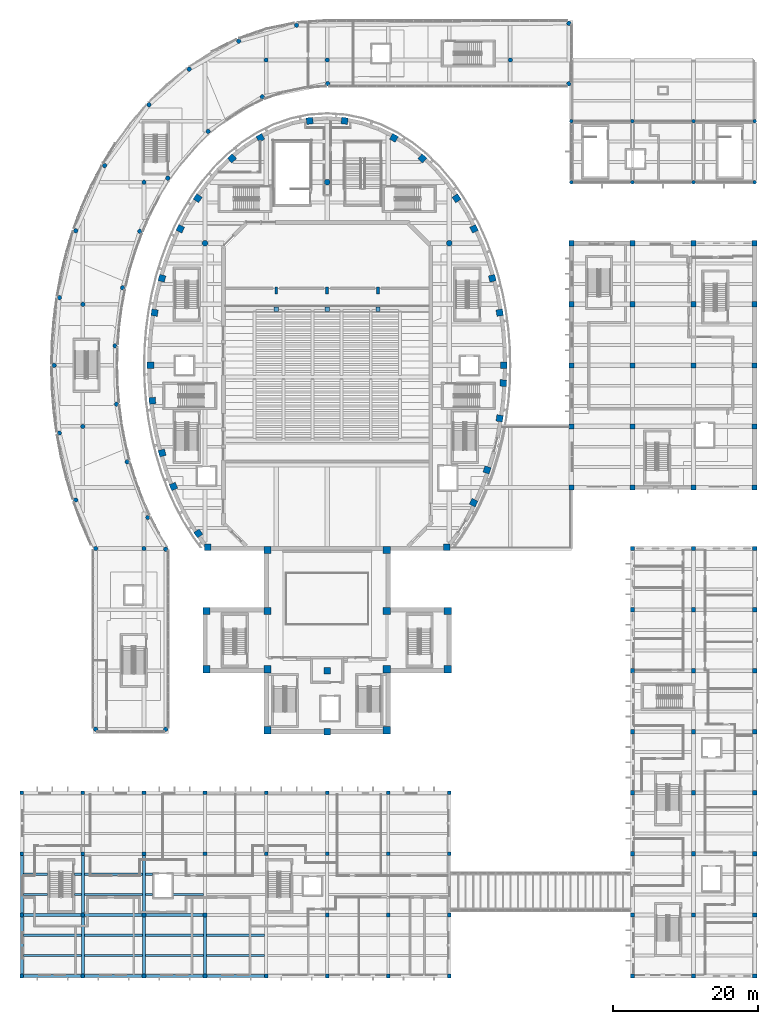
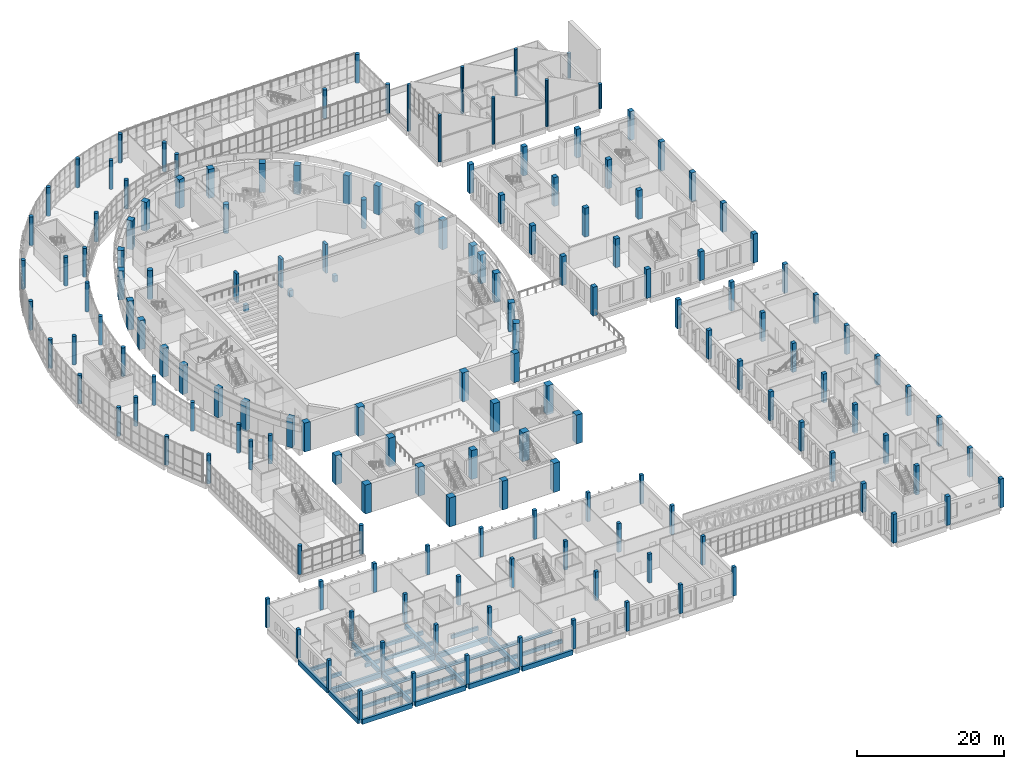
# One storey, part 1 of 119: 164 columns, 31 beams.
"""IFC4 building model written with IfcOpenShell, lengths in metres."""

import ifcopenshell
import ifcopenshell.guid

model = None  # the IFC model being written
_history = None  # IfcOwnerHistory: only IFC2X3 demands one
_inside = {}  # id of a spatial element -> (the spatial element, [elements in it])
_under = {}  # id of a project, library or spatial element -> (it, [spatial elements below it])
_declared = {}  # id of a project -> (the project, [libraries it declares])
_typed = {}  # id of a type object -> (the type object, [elements of that type])
_made_of = {}  # id of a material, layer set ... -> (it, [elements and type objects made of it])


def new_model(schema):
    """Start an empty IFC model of exactly this schema.

    Asked for "IFC4X3", IfcOpenShell would pick the latest addendum, in which some entities
    have other attributes; the version numbers below select the first issue.
    IFC2X3 requires an IfcOwnerHistory on every rooted entity: one is made here for all.
    """
    global model, _history
    if schema == "IFC4X3":
        model = ifcopenshell.file(schema_version=(4, 3, 0, 0))
    else:
        model = ifcopenshell.file(schema=schema)
    _inside.clear()
    _under.clear()
    _declared.clear()
    _typed.clear()
    _made_of.clear()
    _history = None
    if model.schema == "IFC2X3":
        org = make("IfcOrganization", Name="unknown")
        user = make(
            "IfcPersonAndOrganization",
            ThePerson=make("IfcPerson", FamilyName="unknown"),
            TheOrganization=org,
        )
        app = make(
            "IfcApplication",
            ApplicationDeveloper=org,
            Version="unknown",
            ApplicationFullName="unknown",
            ApplicationIdentifier="unknown",
        )
        _history = make(
            "IfcOwnerHistory",
            OwningUser=user,
            OwningApplication=app,
            ChangeAction="ADDED",
            CreationDate=0,
        )
    return model


def make(cls, **values):
    """One entity of the class cls with the attributes given. An attribute that is None is left unset."""
    return model.create_entity(
        cls, **{name: value for name, value in values.items() if value is not None}
    )


def rooted(cls, **values):
    """An entity with a GlobalId (a new one), such as an element, a storey or a relation."""
    return make(cls, GlobalId=ifcopenshell.guid.new(), OwnerHistory=_history, **values)


def si_unit(unit_type, name, prefix=None):
    """IfcSIUnit, for example si_unit("LENGTHUNIT", "METRE", prefix="MILLI")."""
    return make("IfcSIUnit", UnitType=unit_type, Prefix=prefix, Name=name)


def assignment(units):
    """IfcUnitAssignment: the units of a project."""
    return None if units is None else make("IfcUnitAssignment", Units=units)


def point(xyz):
    """IfcCartesianPoint."""
    return None if xyz is None else make("IfcCartesianPoint", Coordinates=xyz)


def direction(xyz):
    """IfcDirection."""
    return None if xyz is None else make("IfcDirection", DirectionRatios=xyz)


def frame(location, z_axis=None, x_axis=None):
    """IfcAxis2Placement3D, a coordinate frame: its origin and axes. An axis left out is left unset."""
    return make(
        "IfcAxis2Placement3D",
        Location=point(location),
        Axis=direction(z_axis),
        RefDirection=direction(x_axis),
    )


def frame_2d(location, x_axis=None):
    """IfcAxis2Placement2D, a coordinate frame in the plane: its origin and x axis."""
    return make(
        "IfcAxis2Placement2D", Location=point(location), RefDirection=direction(x_axis)
    )


def origin():
    """The frame at (0, 0, 0) with its axes left unset."""
    return frame((0.0, 0.0, 0.0))


def origin_2d():
    """The frame at (0, 0) in the plane with its x axis left unset."""
    return frame_2d((0.0, 0.0))


def place(relative_to, where):
    """IfcLocalPlacement: puts the frame where relative to a parent placement (None: the world)."""
    return make(
        "IfcLocalPlacement", PlacementRelTo=relative_to, RelativePlacement=where
    )


def context(
    kind, dimensions, precision=None, world=None, true_north=None, identifier=None
):
    """IfcGeometricRepresentationContext, for example the 3D "Model" context."""
    return make(
        "IfcGeometricRepresentationContext",
        ContextIdentifier=identifier,
        ContextType=kind,
        CoordinateSpaceDimension=dimensions,
        Precision=precision,
        WorldCoordinateSystem=world,
        TrueNorth=true_north,
    )


def subcontext(parent, identifier, kind, view, scale=None):
    """IfcGeometricRepresentationSubContext, for example "Body" below "Model"."""
    return make(
        "IfcGeometricRepresentationSubContext",
        ContextIdentifier=identifier,
        ContextType=kind,
        ParentContext=parent,
        TargetScale=scale,
        TargetView=view,
    )


def project(units=None, contexts=None):
    """IfcProject with its units and contexts."""
    return rooted(
        "IfcProject",
        Name="project",
        RepresentationContexts=contexts,
        UnitsInContext=assignment(units),
    )


def spatial(cls, under=None, at=None, **own):
    """A site, building, storey or space (cls), placed at a placement, below another one or the project."""
    s = rooted(cls, ObjectPlacement=at, **own)
    if under is not None:
        _under.setdefault(under.id(), (under, []))[1].append(s)
    return s


def profile(cls, at=None, kind="AREA", **sizes):
    """A parametric profile (cls). Its sizes go by their IFC names, for example OverallWidth=200.0."""
    return make(cls, ProfileType=kind, Position=at, **sizes)


def rectangle(**sizes):
    """IfcRectangleProfileDef."""
    return profile("IfcRectangleProfileDef", **sizes)


def circle(**sizes):
    """IfcCircleProfileDef."""
    return profile("IfcCircleProfileDef", **sizes)


def extrude(swept, where, along, depth):
    """IfcExtrudedAreaSolid: the profile swept, set in the frame where, extruded along a direction by depth."""
    return make(
        "IfcExtrudedAreaSolid",
        SweptArea=swept,
        Position=where,
        ExtrudedDirection=direction(along),
        Depth=depth,
    )


def shape(context_of_items, identifier, shape_type, items):
    """IfcShapeRepresentation: the items that make up one representation, for example the "Body"."""
    return make(
        "IfcShapeRepresentation",
        ContextOfItems=context_of_items,
        RepresentationIdentifier=identifier,
        RepresentationType=shape_type,
        Items=items,
    )


def material(Name=None, Category=None):
    """IfcMaterial."""
    return make("IfcMaterial", Name=Name, Category=Category)


def material_profile(
    of_material, cross_section, Name=None, Category=None, Priority=None
):
    """IfcMaterialProfile: a cross section and its material."""
    return make(
        "IfcMaterialProfile",
        Name=Name,
        Material=of_material,
        Profile=cross_section,
        Priority=Priority,
        Category=Category,
    )


def profile_set(profiles, Name=None, composite=None):
    """IfcMaterialProfileSet."""
    return make(
        "IfcMaterialProfileSet",
        Name=Name,
        MaterialProfiles=profiles,
        CompositeProfile=composite,
    )


def made_of(thing, what):
    """Note that an element or type object is made of a material, layer set ...; save() writes the relation."""
    if what is not None:
        _made_of.setdefault(what.id(), (what, []))[1].append(thing)
    return thing


def type_object(cls, material=None, **own):
    """A type object (cls), such as IfcWallType, which elements share."""
    return made_of(rooted(cls, **own), material)


def element(
    cls,
    number,
    at=None,
    inside=None,
    cuts=None,
    type_object=None,
    material=None,
    context=None,
    identifier="Body",
    shape_type=None,
    held_by="IfcProductDefinitionShape",
    body=None,
    shapes=None,
    **own,
):
    """One element of the class cls, such as IfcWall. Its Tag is "e" and its number.

    at: its placement. inside: the storey or other place that contains it. cuts: it is an
    opening in that element (IfcRelVoidsElement). A single representation is given by context,
    identifier, shape_type and body (its items); several are given by shapes. held_by: the class
    of the entity that holds the representations. save() writes the other relations.
    """
    e = rooted(cls, Tag="e%d" % number, ObjectPlacement=at, **own)
    if body is not None:
        shapes = [shape(context, identifier, shape_type, body)]
    if shapes is not None:
        e.Representation = make(held_by, Representations=shapes)
    if inside is not None:
        _inside.setdefault(inside.id(), (inside, []))[1].append(e)
    if cuts is not None:
        rooted(
            "IfcRelVoidsElement", RelatingBuildingElement=cuts, RelatedOpeningElement=e
        )
    if type_object is not None:
        _typed.setdefault(type_object.id(), (type_object, []))[1].append(e)
    return made_of(e, material)


def aggregate(whole, parts):
    """IfcRelAggregates: a whole, such as a stair, and the parts it consists of."""
    return rooted("IfcRelAggregates", RelatingObject=whole, RelatedObjects=parts)


def save(model, path):
    """Write the relations noted so far, then the file.

    IfcRelAggregates (storeys below a building ...), IfcRelContainedInSpatialStructure (elements
    in a storey), IfcRelDefinesByType, IfcRelAssociatesMaterial and IfcRelDeclares: one each for
    every whole, place, type object, material and project.
    """
    for whole, parts in _under.values():
        aggregate(whole, parts)
    for where, things in _inside.values():
        rooted(
            "IfcRelContainedInSpatialStructure",
            RelatedElements=things,
            RelatingStructure=where,
        )
    for kind, things in _typed.values():
        rooted("IfcRelDefinesByType", RelatedObjects=things, RelatingType=kind)
    for what, things in _made_of.values():
        rooted("IfcRelAssociatesMaterial", RelatedObjects=things, RelatingMaterial=what)
    for by, libraries in _declared.values():
        rooted("IfcRelDeclares", RelatingContext=by, RelatedDefinitions=libraries)
    model.write(path)


model = new_model("IFC4")

# Units and contexts
model_context = context("Model", 3, precision=1e-05, world=origin(), true_north=direction((0.0, 1.0)))
body_context = subcontext(model_context, "Body", "Model", "MODEL_VIEW")
ifc_project = project(units=[si_unit("LENGTHUNIT", "METRE"), si_unit("AREAUNIT", "SQUARE_METRE"), si_unit("VOLUMEUNIT", "CUBIC_METRE"), si_unit("PLANEANGLEUNIT", "RADIAN"), si_unit("MASSUNIT", "GRAM", prefix="KILO")], contexts=[model_context])

# Site, building, storey
site_placement = place(None, origin())
site = spatial("IfcSite", under=ifc_project, at=site_placement, CompositionType="ELEMENT")
building_placement = place(site_placement, origin())
building = spatial("IfcBuilding", under=site, at=building_placement, Name="Larchfold Concert Hall", CompositionType="ELEMENT")
storey_placement = place(building_placement, frame((0.0, 0.0, 4.800048828125)))
storey = spatial("IfcBuildingStorey", under=building, at=storey_placement, Name="L01", CompositionType="ELEMENT", Elevation=4.800048828125)

# Columns
ifc_material_1 = material(Name="Concrete C35/45", Category="concrete")
ifc_material_profile_1 = material_profile(ifc_material_1, rectangle(XDim=1.0, YDim=1.0, at=origin_2d()))
ifc_profile_set_1 = profile_set([ifc_material_profile_1], Name="Concrete C35/45")
column_type_1 = type_object("IfcColumnType", Name="Column RC 1000x1000", PredefinedType="COLUMN", material=ifc_profile_set_1)
for number, where, z_axis, x_axis, name in (
    (1, (26.0, 42.800048828125, 0.0), (0.0, 0.0, 1.0), (1.0, 0.0, 0.0), "Column C0083"),
    (2, (26.0, 50.800048828125, 0.0), (0.0, 0.0, 1.0), (1.0, 0.0, 0.0), "Column C0084"),
    (3, (34.39990234375, 34.39990234375, 0.0), (0.0, 0.0, 1.0), (1.0, 0.0, 0.0), "Column C0085"),
    (4, (34.39990234375, 42.800048828125, 0.0), (0.0, 0.0, 1.0), (1.0, 0.0, 0.0), "Column C0086"),
    (5, (34.39990234375, 50.800048828125, 0.0), (0.0, 0.0, 1.0), (1.0, 0.0, 0.0), "Column C0087"),
    (6, (34.39990234375, 59.199951171875, 0.0), (0.0, 0.0, 1.0), (1.0, 0.0, 0.0), "Column C0088"),
    (7, (50.800048828125, 34.39990234375, 0.0), (0.0, 0.0, 1.0), (1.0, 0.0, 0.0), "Column C0091"),
    (8, (50.800048828125, 42.800048828125, 0.0), (0.0, 0.0, 1.0), (1.0, 0.0, 0.0), "Column C0092"),
    (9, (50.800048828125, 50.800048828125, 0.0), (0.0, 0.0, 1.0), (1.0, 0.0, 0.0), "Column C0093"),
    (10, (50.800048828125, 59.199951171875, 0.0), (0.0, 0.0, 1.0), (1.0, 0.0, 0.0), "Column C0094"),
    (11, (59.199951171875, 42.800048828125, 0.0), (0.0, 0.0, 1.0), (1.0, 0.0, 0.0), "Column C0095"),
    (12, (59.199951171875, 50.800048828125, 0.0), (0.0, 0.0, 1.0), (1.0, 0.0, 0.0), "Column C0096"),
):
    element("IfcColumn", number, at=place(storey_placement, frame(where, z_axis=z_axis, x_axis=x_axis)), inside=storey, type_object=column_type_1, Name=name, PredefinedType="COLUMN", context=body_context, shape_type="SweptSolid", body=[
        extrude(rectangle(XDim=1.0, YDim=1.0, at=origin_2d()), origin(), (0.0, 0.0, 1.0), 4.800048828125),
    ])
ifc_material_2 = material(Name="Concrete C35/45", Category="concrete")
ifc_material_profile_2 = material_profile(ifc_material_2, rectangle(XDim=0.39990234375, YDim=0.89990234375, at=origin_2d()))
ifc_profile_set_2 = profile_set([ifc_material_profile_2], Name="Concrete C35/45")
column_type_2 = type_object("IfcColumnType", Name="Column RC 400x900", PredefinedType="COLUMN", material=ifc_profile_set_2)
for number, where, z_axis, x_axis, name in (
    (13, (35.60009765625, 94.89990234375, 0.0), (0.0, 0.0, 1.0), (1.0, 0.0, 0.0), "Column C0100"),
    (14, (42.60009765625, 94.89990234375, 0.0), (0.0, 0.0, 1.0), (1.0, 0.0, 0.0), "Column C0101"),
    (15, (49.60009765625, 94.89990234375, 0.0), (0.0, 0.0, 1.0), (1.0, 0.0, 0.0), "Column C0102"),
):
    element("IfcColumn", number, at=place(storey_placement, frame(where, z_axis=z_axis, x_axis=x_axis)), inside=storey, type_object=column_type_2, Name=name, PredefinedType="COLUMN", context=body_context, shape_type="SweptSolid", body=[
        extrude(rectangle(XDim=0.39990234375, YDim=0.89990234375, at=origin_2d()), origin(), (0.0, 0.0, 1.0), 4.800048828125),
    ])
ifc_material_3 = material(Name="Concrete C35/45", Category="concrete")
ifc_material_profile_3 = material_profile(ifc_material_3, rectangle(XDim=0.5, YDim=0.5, at=origin_2d()))
ifc_profile_set_3 = profile_set([ifc_material_profile_3], Name="Concrete C35/45")
column_type_3 = type_object("IfcColumnType", Name="Column RC 500x500", PredefinedType="COLUMN", material=ifc_profile_set_3)
for number, where, z_axis, x_axis, name in (
    (16, (0.60009765625, 0.60009765625, 0.0), (0.0, 0.0, 1.0), (1.0, 0.0, 0.0), "Column C0001"),
    (17, (0.60009765625, 9.0, 0.0), (0.0, 0.0, 1.0), (1.0, 0.0, 0.0), "Column C0002"),
    (18, (0.60009765625, 17.39990234375, 0.0), (0.0, 0.0, 1.0), (1.0, 0.0, 0.0), "Column C0003"),
    (19, (0.60009765625, 25.800048828125, 0.0), (0.0, 0.0, 1.0), (1.0, 0.0, 0.0), "Column C0004"),
    (20, (9.0, 0.60009765625, 0.0), (0.0, 0.0, 1.0), (1.0, 0.0, 0.0), "Column C0005"),
    (21, (9.0, 9.0, 0.0), (0.0, 0.0, 1.0), (1.0, 0.0, 0.0), "Column C0006"),
    (22, (9.0, 17.39990234375, 0.0), (0.0, 0.0, 1.0), (1.0, 0.0, 0.0), "Column C0007"),
    (23, (9.0, 25.800048828125, 0.0), (0.0, 0.0, 1.0), (1.0, 0.0, 0.0), "Column C0008"),
    (24, (17.39990234375, 0.60009765625, 0.0), (0.0, 0.0, 1.0), (1.0, 0.0, 0.0), "Column C0009"),
    (25, (17.39990234375, 9.0, 0.0), (0.0, 0.0, 1.0), (1.0, 0.0, 0.0), "Column C0010"),
    (26, (17.39990234375, 17.39990234375, 0.0), (0.0, 0.0, 1.0), (1.0, 0.0, 0.0), "Column C0011"),
    (27, (17.39990234375, 25.800048828125, 0.0), (0.0, 0.0, 1.0), (1.0, 0.0, 0.0), "Column C0012"),
    (28, (25.800048828125, 0.60009765625, 0.0), (0.0, 0.0, 1.0), (1.0, 0.0, 0.0), "Column C0013"),
    (29, (25.800048828125, 9.0, 0.0), (0.0, 0.0, 1.0), (1.0, 0.0, 0.0), "Column C0014"),
    (30, (25.800048828125, 17.39990234375, 0.0), (0.0, 0.0, 1.0), (1.0, 0.0, 0.0), "Column C0015"),
    (31, (25.800048828125, 25.800048828125, 0.0), (0.0, 0.0, 1.0), (1.0, 0.0, 0.0), "Column C0016"),
    (32, (34.199951171875, 0.60009765625, 0.0), (0.0, 0.0, 1.0), (1.0, 0.0, 0.0), "Column C0017"),
    (33, (34.199951171875, 17.39990234375, 0.0), (0.0, 0.0, 1.0), (1.0, 0.0, 0.0), "Column C0018"),
    (34, (34.199951171875, 25.800048828125, 0.0), (0.0, 0.0, 1.0), (1.0, 0.0, 0.0), "Column C0019"),
    (35, (42.60009765625, 0.60009765625, 0.0), (0.0, 0.0, 1.0), (1.0, 0.0, 0.0), "Column C0020"),
    (36, (42.60009765625, 9.0, 0.0), (0.0, 0.0, 1.0), (1.0, 0.0, 0.0), "Column C0021"),
    (37, (42.60009765625, 17.39990234375, 0.0), (0.0, 0.0, 1.0), (1.0, 0.0, 0.0), "Column C0022"),
    (38, (42.60009765625, 25.800048828125, 0.0), (0.0, 0.0, 1.0), (1.0, 0.0, 0.0), "Column C0023"),
    (39, (51.0, 0.60009765625, 0.0), (0.0, 0.0, 1.0), (1.0, 0.0, 0.0), "Column C0024"),
    (40, (51.0, 9.0, 0.0), (0.0, 0.0, 1.0), (1.0, 0.0, 0.0), "Column C0025"),
    (41, (51.0, 17.39990234375, 0.0), (0.0, 0.0, 1.0), (1.0, 0.0, 0.0), "Column C0026"),
    (42, (51.0, 25.800048828125, 0.0), (0.0, 0.0, 1.0), (1.0, 0.0, 0.0), "Column C0027"),
    (43, (59.39990234375, 0.60009765625, 0.0), (0.0, 0.0, 1.0), (1.0, 0.0, 0.0), "Column C0028"),
    (44, (59.39990234375, 9.0, 0.0), (0.0, 0.0, 1.0), (1.0, 0.0, 0.0), "Column C0029"),
    (45, (59.39990234375, 17.39990234375, 0.0), (0.0, 0.0, 1.0), (1.0, 0.0, 0.0), "Column C0030"),
    (46, (59.39990234375, 25.800048828125, 0.0), (0.0, 0.0, 1.0), (1.0, 0.0, 0.0), "Column C0031"),
):
    element("IfcColumn", number, at=place(storey_placement, frame(where, z_axis=z_axis, x_axis=x_axis)), inside=storey, type_object=column_type_3, Name=name, PredefinedType="COLUMN", context=body_context, shape_type="SweptSolid", body=[
        extrude(rectangle(XDim=0.5, YDim=0.5, at=origin_2d()), origin(), (0.0, 0.0, 1.0), 4.800048828125),
    ])
ifc_material_4 = material(Name="Concrete C35/45", Category="concrete")
ifc_material_profile_4 = material_profile(ifc_material_4, rectangle(XDim=0.60009765625, YDim=0.60009765625, at=origin_2d()))
ifc_profile_set_4 = profile_set([ifc_material_profile_4], Name="Concrete C35/45")
column_type_4 = type_object("IfcColumnType", Name="Column RC 600x600", PredefinedType="COLUMN", material=ifc_profile_set_4)
for number, where, z_axis, x_axis, name in (
    (47, (84.60009765625, 0.60009765625, 0.0), (0.0, 0.0, 1.0), (1.0, 0.0, 0.0), "Column C0032"),
    (48, (84.60009765625, 9.0, 0.0), (0.0, 0.0, 1.0), (1.0, 0.0, 0.0), "Column C0033"),
    (49, (84.60009765625, 17.39990234375, 0.0), (0.0, 0.0, 1.0), (1.0, 0.0, 0.0), "Column C0034"),
    (50, (84.60009765625, 25.800048828125, 0.0), (0.0, 0.0, 1.0), (1.0, 0.0, 0.0), "Column C0035"),
    (51, (84.60009765625, 34.199951171875, 0.0), (0.0, 0.0, 1.0), (1.0, 0.0, 0.0), "Column C0036"),
    (52, (84.60009765625, 42.60009765625, 0.0), (0.0, 0.0, 1.0), (1.0, 0.0, 0.0), "Column C0037"),
    (53, (84.60009765625, 51.0, 0.0), (0.0, 0.0, 1.0), (1.0, 0.0, 0.0), "Column C0038"),
    (54, (84.60009765625, 59.39990234375, 0.0), (0.0, 0.0, 1.0), (1.0, 0.0, 0.0), "Column C0039"),
    (55, (93.0, 0.60009765625, 0.0), (0.0, 0.0, 1.0), (1.0, 0.0, 0.0), "Column C0040"),
    (56, (93.0, 9.0, 0.0), (0.0, 0.0, 1.0), (1.0, 0.0, 0.0), "Column C0041"),
    (57, (93.0, 17.39990234375, 0.0), (0.0, 0.0, 1.0), (1.0, 0.0, 0.0), "Column C0042"),
    (58, (93.0, 25.800048828125, 0.0), (0.0, 0.0, 1.0), (1.0, 0.0, 0.0), "Column C0043"),
    (59, (93.0, 34.199951171875, 0.0), (0.0, 0.0, 1.0), (1.0, 0.0, 0.0), "Column C0044"),
    (60, (93.0, 42.60009765625, 0.0), (0.0, 0.0, 1.0), (1.0, 0.0, 0.0), "Column C0045"),
    (61, (93.0, 51.0, 0.0), (0.0, 0.0, 1.0), (1.0, 0.0, 0.0), "Column C0046"),
    (62, (93.0, 59.39990234375, 0.0), (0.0, 0.0, 1.0), (1.0, 0.0, 0.0), "Column C0047"),
    (63, (101.39990234375, 0.60009765625, 0.0), (0.0, 0.0, 1.0), (1.0, 0.0, 0.0), "Column C0048"),
    (64, (101.39990234375, 9.0, 0.0), (0.0, 0.0, 1.0), (1.0, 0.0, 0.0), "Column C0049"),
    (65, (101.39990234375, 17.39990234375, 0.0), (0.0, 0.0, 1.0), (1.0, 0.0, 0.0), "Column C0050"),
    (66, (101.39990234375, 25.800048828125, 0.0), (0.0, 0.0, 1.0), (1.0, 0.0, 0.0), "Column C0051"),
    (67, (101.39990234375, 34.199951171875, 0.0), (0.0, 0.0, 1.0), (1.0, 0.0, 0.0), "Column C0052"),
    (68, (101.39990234375, 42.60009765625, 0.0), (0.0, 0.0, 1.0), (1.0, 0.0, 0.0), "Column C0053"),
    (69, (101.39990234375, 51.0, 0.0), (0.0, 0.0, 1.0), (1.0, 0.0, 0.0), "Column C0054"),
    (70, (101.39990234375, 59.39990234375, 0.0), (0.0, 0.0, 1.0), (1.0, 0.0, 0.0), "Column C0055"),
):
    element("IfcColumn", number, at=place(storey_placement, frame(where, z_axis=z_axis, x_axis=x_axis)), inside=storey, type_object=column_type_4, Name=name, PredefinedType="COLUMN", context=body_context, shape_type="SweptSolid", body=[
        extrude(rectangle(XDim=0.60009765625, YDim=0.60009765625, at=origin_2d()), origin(), (0.0, 0.0, 1.0), 4.800048828125),
    ])
for number, where, z_axis, x_axis, name in (
    (71, (35.60009765625, 92.300048828125, 0.0), (0.0, 0.0, 1.0), (1.0, 0.0, 0.0), "Column C0097"),
    (72, (42.60009765625, 92.300048828125, 0.0), (0.0, 0.0, 1.0), (1.0, 0.0, 0.0), "Column C0098"),
    (73, (49.60009765625, 92.300048828125, 0.0), (0.0, 0.0, 1.0), (1.0, 0.0, 0.0), "Column C0099"),
):
    element("IfcColumn", number, at=place(storey_placement, frame(where, z_axis=z_axis, x_axis=x_axis)), inside=storey, type_object=column_type_4, Name=name, PredefinedType="COLUMN", context=body_context, shape_type="SweptSolid", body=[
        extrude(rectangle(XDim=0.60009765625, YDim=0.60009765625, at=origin_2d()), origin(), (0.0, 0.0, 1.0), 1.093994140625),
    ])
ifc_material_5 = material(Name="Concrete C35/45", Category="concrete")
ifc_material_profile_5 = material_profile(ifc_material_5, rectangle(XDim=0.699951171875, YDim=0.699951171875, at=origin_2d()))
ifc_profile_set_5 = profile_set([ifc_material_profile_5], Name="Concrete C35/45")
column_type_5 = type_object("IfcColumnType", Name="Column RC 700x700", PredefinedType="COLUMN", material=ifc_profile_set_5)
for number, where, z_axis, x_axis, name in (
    (74, (76.199951171875, 67.800048828125, 0.0), (0.0, 0.0, 1.0), (1.0, 0.0, 0.0), "Column C0056"),
    (75, (76.199951171875, 76.199951171875, 0.0), (0.0, 0.0, 1.0), (1.0, 0.0, 0.0), "Column C0057"),
    (76, (76.199951171875, 84.60009765625, 0.0), (0.0, 0.0, 1.0), (1.0, 0.0, 0.0), "Column C0058"),
    (77, (76.199951171875, 93.0, 0.0), (0.0, 0.0, 1.0), (1.0, 0.0, 0.0), "Column C0059"),
    (78, (76.199951171875, 101.39990234375, 0.0), (0.0, 0.0, 1.0), (1.0, 0.0, 0.0), "Column C0060"),
    (79, (84.60009765625, 67.800048828125, 0.0), (0.0, 0.0, 1.0), (1.0, 0.0, 0.0), "Column C0061"),
    (80, (84.60009765625, 76.199951171875, 0.0), (0.0, 0.0, 1.0), (1.0, 0.0, 0.0), "Column C0062"),
    (81, (84.60009765625, 84.60009765625, 0.0), (0.0, 0.0, 1.0), (1.0, 0.0, 0.0), "Column C0063"),
    (82, (84.60009765625, 93.0, 0.0), (0.0, 0.0, 1.0), (1.0, 0.0, 0.0), "Column C0064"),
    (83, (84.60009765625, 101.39990234375, 0.0), (0.0, 0.0, 1.0), (1.0, 0.0, 0.0), "Column C0065"),
    (84, (93.0, 67.800048828125, 0.0), (0.0, 0.0, 1.0), (1.0, 0.0, 0.0), "Column C0066"),
    (85, (93.0, 84.60009765625, 0.0), (0.0, 0.0, 1.0), (1.0, 0.0, 0.0), "Column C0067"),
    (86, (93.0, 93.0, 0.0), (0.0, 0.0, 1.0), (1.0, 0.0, 0.0), "Column C0068"),
    (87, (93.0, 101.39990234375, 0.0), (0.0, 0.0, 1.0), (1.0, 0.0, 0.0), "Column C0069"),
    (88, (101.39990234375, 67.800048828125, 0.0), (0.0, 0.0, 1.0), (1.0, 0.0, 0.0), "Column C0070"),
    (89, (101.39990234375, 76.199951171875, 0.0), (0.0, 0.0, 1.0), (1.0, 0.0, 0.0), "Column C0071"),
    (90, (101.39990234375, 84.60009765625, 0.0), (0.0, 0.0, 1.0), (1.0, 0.0, 0.0), "Column C0072"),
    (91, (101.39990234375, 93.0, 0.0), (0.0, 0.0, 1.0), (1.0, 0.0, 0.0), "Column C0073"),
    (92, (101.39990234375, 101.39990234375, 0.0), (0.0, 0.0, 1.0), (1.0, 0.0, 0.0), "Column C0074"),
):
    element("IfcColumn", number, at=place(storey_placement, frame(where, z_axis=z_axis, x_axis=x_axis)), inside=storey, type_object=column_type_5, Name=name, PredefinedType="COLUMN", context=body_context, shape_type="SweptSolid", body=[
        extrude(rectangle(XDim=0.699951171875, YDim=0.699951171875, at=origin_2d()), origin(), (0.0, 0.0, 1.0), 4.800048828125),
    ])
ifc_material_6 = material(Name="Concrete C35/45", Category="concrete")
ifc_material_profile_6 = material_profile(ifc_material_6, rectangle(XDim=0.89990234375, YDim=0.89990234375, at=origin_2d()))
ifc_profile_set_6 = profile_set([ifc_material_profile_6], Name="Concrete C35/45")
column_type_6 = type_object("IfcColumnType", Name="Column RC 900x900", PredefinedType="COLUMN", material=ifc_profile_set_6)
for number, where, z_axis, x_axis, name in (
    (93, (42.60009765625, 34.199951171875, 0.0), (0.0, 0.0, 1.0), (1.0, 0.0, 0.0), "Column C0089"),
    (94, (42.60009765625, 42.60009765625, 0.0), (0.0, 0.0, 1.0), (1.0, 0.0, 0.0), "Column C0090"),
    (95, (66.900146484375, 84.60009765625, 0.0), (0.0, 0.0, 1.0), (0.999999999998, 2.069699e-06, 0.0), "Column C9001"),
    (96, (66.33544921875, 91.841796875, 0.0), (0.0, 0.0, 1.0), (0.987778077668, 0.155866831876, 0.0), "Column C9002"),
    (97, (65.322021484375, 96.578857421875, 0.0), (0.0, 0.0, 1.0), (0.964788079418, 0.263028442973, 0.0), "Column C9003"),
    (98, (62.800537109375, 103.382568359375, 0.0), (0.0, 0.0, 1.0), (0.901263073046, 0.433272285247, 0.0), "Column C9004"),
    (99, (60.411865234375, 107.587646484375, 0.0), (0.0, 0.0, 1.0), (0.831867887413, 0.55497370919, 0.0), "Column C9005"),
    (100, (55.694580078125, 113.069580078125, 0.0), (0.0, 0.0, 1.0), (0.664881649498, 0.746948721239, 0.0), "Column C9006"),
    (101, (51.788330078125, 115.888916015625, 0.0), (0.0, 0.0, 1.0), (0.494204498977, 0.869345681068, 0.0), "Column C9007"),
    (102, (44.999267578125, 118.23486328125, 0.0), (0.0, 0.0, 1.0), (0.13683054479, 0.990594468999, 0.0), "Column C9008"),
    (103, (40.200927734375, 118.23486328125, 0.0), (0.0, 0.0, 1.0), (0.990595961709, 0.136819737776, 0.0), "Column C9009"),
    (104, (33.411865234375, 115.888916015625, 0.0), (0.0, 0.0, 1.0), (0.869350146356, 0.49419664409, 0.0), "Column C9010"),
    (105, (29.505615234375, 113.069580078125, 0.0), (0.0, 0.0, 1.0), (0.746953596831, 0.664876172066, 0.0), "Column C9011"),
    (106, (24.788330078125, 107.587646484375, 0.0), (0.0, 0.0, 1.0), (0.554977881431, 0.831865103922, 0.0), "Column C9012"),
    (107, (22.399658203125, 103.382568359375, 0.0), (0.0, 0.0, 1.0), (0.433275657946, 0.901261451651, 0.0), "Column C9013"),
    (108, (19.878173828125, 96.578857421875, 0.0), (0.0, 0.0, 1.0), (0.263030529779, 0.964787510493, 0.0), "Column C9014"),
    (109, (18.86474609375, 91.841796875, 0.0), (0.0, 0.0, 1.0), (0.155868072999, 0.987777881823, 0.0), "Column C9015"),
    (110, (18.300048828125, 84.60009765625, 0.0), (0.0, 0.0, 1.0), (2.069716e-06, 0.999999999998, 0.0), "Column C9016"),
    (111, (18.5537109375, 79.73095703125, 0.0), (0.0, 0.0, 1.0), (0.994561340283, 0.104152486359, 0.0), "Column C9017"),
    (112, (19.898193359375, 72.548828125, 0.0), (0.0, 0.0, 1.0), (0.964323619166, 0.264726193489, 0.0), "Column C9018"),
    (113, (21.461181640625, 67.934326171875, 0.0), (0.0, 0.0, 1.0), (0.926013821217, 0.377489606368, 0.0), "Column C9019"),
    (114, (24.872314453125, 61.4873046875, 0.0), (0.0, 0.0, 1.0), (0.829252824487, 0.558873646794, 0.0), "Column C9020"),
    (115, (26.153076171875, 59.599853515625, 0.0), (0.0, 0.0, 1.0), (1.0, 0.0, 0.0), "Column C9021"),
    (116, (59.047119140625, 59.599853515625, 0.0), (0.0, 0.0, 1.0), (1.0, 0.0, 0.0), "Column C9022"),
    (117, (62.748291015625, 65.708984375, 0.0), (0.0, 0.0, 1.0), (0.436211127096, 0.899844349095, 0.0), "Column C9023"),
    (118, (64.589111328125, 70.218017578125, 0.0), (0.0, 0.0, 1.0), (0.320382697349, 0.947288196506, 0.0), "Column C9024"),
    (119, (66.328369140625, 77.3134765625, 0.0), (0.0, 0.0, 1.0), (0.156847117791, 0.987622894449, 0.0), "Column C9025"),
    (120, (66.8369140625, 82.162353515625, 0.0), (0.0, 0.0, 1.0), (0.051949743743, 0.998649700408, 0.0), "Column C9026"),
):
    element("IfcColumn", number, at=place(storey_placement, frame(where, z_axis=z_axis, x_axis=x_axis)), inside=storey, type_object=column_type_6, Name=name, PredefinedType="COLUMN", context=body_context, shape_type="SweptSolid", body=[
        extrude(rectangle(XDim=0.89990234375, YDim=0.89990234375, at=origin_2d()), origin(), (0.0, 0.0, 1.0), 4.800048828125),
    ])
ifc_material_7 = material(Name="Concrete C35/45", Category="concrete")
ifc_material_profile_7 = material_profile(ifc_material_7, circle(Radius=0.25, at=origin_2d()))
ifc_profile_set_7 = profile_set([ifc_material_profile_7], Name="Concrete C35/45")
column_type_7 = type_object("IfcColumnType", Name="Column RC D500", PredefinedType="COLUMN", material=ifc_profile_set_7)
for number, where, z_axis, x_axis, name in (
    (121, (76.199951171875, 109.800048828125, 0.0), (0.0, 0.0, 1.0), (1.0, 0.0, 0.0), "Column RC0075"),
    (122, (76.199951171875, 118.199951171875, 0.0), (0.0, 0.0, 1.0), (1.0, 0.0, 0.0), "Column RC0076"),
    (123, (84.60009765625, 109.800048828125, 0.0), (0.0, 0.0, 1.0), (1.0, 0.0, 0.0), "Column RC0077"),
    (124, (84.60009765625, 118.199951171875, 0.0), (0.0, 0.0, 1.0), (1.0, 0.0, 0.0), "Column RC0078"),
    (125, (93.0, 109.800048828125, 0.0), (0.0, 0.0, 1.0), (1.0, 0.0, 0.0), "Column RC0079"),
    (126, (93.0, 118.199951171875, 0.0), (0.0, 0.0, 1.0), (1.0, 0.0, 0.0), "Column RC0080"),
):
    element("IfcColumn", number, at=place(storey_placement, frame(where, z_axis=z_axis, x_axis=x_axis)), inside=storey, type_object=column_type_7, Name=name, PredefinedType="COLUMN", context=body_context, shape_type="SweptSolid", body=[
        extrude(circle(Radius=0.25, at=origin_2d()), origin(), (0.0, 0.0, 1.0), 7.723876953125),
    ])
for number, where, z_axis, x_axis, name in (
    (127, (101.39990234375, 109.800048828125, 0.0), (0.0, 0.0, 1.0), (1.0, 0.0, 0.0), "Column RC0081"),
    (128, (101.39990234375, 118.199951171875, 0.0), (0.0, 0.0, 1.0), (1.0, 0.0, 0.0), "Column RC0082"),
):
    element("IfcColumn", number, at=place(storey_placement, frame(where, z_axis=z_axis, x_axis=x_axis)), inside=storey, type_object=column_type_7, Name=name, PredefinedType="COLUMN", context=body_context, shape_type="SweptSolid", body=[
        extrude(circle(Radius=0.25, at=origin_2d()), origin(), (0.0, 0.0, 1.0), 4.123779296875),
    ])
ifc_material_8 = material(Name="Concrete C35/45", Category="concrete")
ifc_material_profile_8 = material_profile(ifc_material_8, circle(Radius=0.300048828125, at=origin_2d()))
ifc_profile_set_8 = profile_set([ifc_material_profile_8], Name="Concrete C35/45")
column_type_8 = type_object("IfcColumnType", Name="Column RC D600", PredefinedType="COLUMN", material=ifc_profile_set_8)
for number, where, z_axis, x_axis, name in (
    (129, (20.39892578125, 59.301025390625, 0.0), (0.0, 0.0, 1.0), (1.0, 0.0, 0.0), "Column RC0103"),
    (130, (20.39892578125, 34.550048828125, 0.0), (0.0, 0.0, 1.0), (1.0, 0.0, 0.0), "Column RC0104"),
    (131, (10.758056640625, 34.550048828125, 0.0), (0.0, 0.0, 1.0), (1.0, 0.0, 0.0), "Column RC0105"),
    (132, (10.758056640625, 59.39990234375, 0.0), (0.0, 0.0, 1.0), (1.0, 0.0, 0.0), "Column RC0106"),
    (133, (8.01806640625, 66.0791015625, 0.0), (0.0, 0.0, 1.0), (1.0, 0.0, 0.0), "Column RC0107"),
    (134, (5.77294921875, 75.2900390625, 0.0), (0.0, 0.0, 1.0), (1.0, 0.0, 0.0), "Column RC0108"),
    (135, (5.0458984375, 84.60009765625, 0.0), (0.0, 0.0, 1.0), (1.0, 0.0, 0.0), "Column RC0109"),
    (136, (5.77294921875, 93.910888671875, 0.0), (0.0, 0.0, 1.0), (1.0, 0.0, 0.0), "Column RC0110"),
    (137, (8.01806640625, 103.12109375, 0.0), (0.0, 0.0, 1.0), (1.0, 0.0, 0.0), "Column RC0111"),
    (138, (11.992919921875, 112.075927734375, 0.0), (0.0, 0.0, 1.0), (1.0, 0.0, 0.0), "Column RC0112"),
    (139, (18.096923828125, 120.445068359375, 0.0), (0.0, 0.0, 1.0), (1.0, 0.0, 0.0), "Column RC0113"),
    (140, (23.62109375, 125.341064453125, 0.0), (0.0, 0.0, 1.0), (1.0, 0.0, 0.0), "Column RC0114"),
    (141, (30.443115234375, 129.197998046875, 0.0), (0.0, 0.0, 1.0), (1.0, 0.0, 0.0), "Column RC0115"),
    (142, (38.39208984375, 131.39111328125, 0.0), (0.0, 0.0, 1.0), (1.0, 0.0, 0.0), "Column RC0116"),
    (143, (75.85009765625, 131.64990234375, 0.0), (0.0, 0.0, 1.0), (1.0, 0.0, 0.0), "Column RC0117"),
    (144, (75.85009765625, 123.35009765625, 0.0), (0.0, 0.0, 1.0), (1.0, 0.0, 0.0), "Column RC0118"),
    (145, (42.68408203125, 123.35009765625, 0.0), (0.0, 0.0, 1.0), (1.0, 0.0, 0.0), "Column RC0119"),
    (146, (33.676025390625, 121.534912109375, 0.0), (0.0, 0.0, 1.0), (1.0, 0.0, 0.0), "Column RC0120"),
    (147, (26.22900390625, 116.785888671875, 0.0), (0.0, 0.0, 1.0), (1.0, 0.0, 0.0), "Column RC0121"),
    (148, (20.677978515625, 110.35107421875, 0.0), (0.0, 0.0, 1.0), (1.0, 0.0, 0.0), "Column RC0122"),
    (149, (16.8359375, 103.0380859375, 0.0), (0.0, 0.0, 1.0), (1.0, 0.0, 0.0), "Column RC0123"),
    (150, (14.467041015625, 95.27001953125, 0.0), (0.0, 0.0, 1.0), (1.0, 0.0, 0.0), "Column RC0124"),
    (151, (13.41796875, 87.2880859375, 0.0), (0.0, 0.0, 1.0), (1.0, 0.0, 0.0), "Column RC0125"),
    (152, (13.625, 79.257080078125, 0.0), (0.0, 0.0, 1.0), (1.0, 0.0, 0.0), "Column RC0126"),
    (153, (15.09912109375, 71.326904296875, 0.0), (0.0, 0.0, 1.0), (1.0, 0.0, 0.0), "Column RC0127"),
    (154, (17.93310546875, 63.679931640625, 0.0), (0.0, 0.0, 1.0), (1.0, 0.0, 0.0), "Column RC0128"),
    (155, (9.0, 76.199951171875, 0.0), (0.0, 0.0, 1.0), (1.0, 0.0, 0.0), "Column RC0129"),
    (156, (9.0, 93.0, 0.0), (0.0, 0.0, 1.0), (1.0, 0.0, 0.0), "Column RC0130"),
    (157, (17.39990234375, 59.39990234375, 0.0), (0.0, 0.0, 1.0), (1.0, 0.0, 0.0), "Column RC0131"),
    (158, (17.39990234375, 109.800048828125, 0.0), (0.0, 0.0, 1.0), (1.0, 0.0, 0.0), "Column RC0132"),
    (159, (34.199951171875, 126.60009765625, 0.0), (0.0, 0.0, 1.0), (1.0, 0.0, 0.0), "Column RC0133"),
    (160, (42.60009765625, 126.60009765625, 0.0), (0.0, 0.0, 1.0), (1.0, 0.0, 0.0), "Column RC0134"),
    (161, (67.800048828125, 126.60009765625, 0.0), (0.0, 0.0, 1.0), (1.0, 0.0, 0.0), "Column RC0135"),
):
    element("IfcColumn", number, at=place(storey_placement, frame(where, z_axis=z_axis, x_axis=x_axis)), inside=storey, type_object=column_type_8, Name=name, PredefinedType="COLUMN", context=body_context, shape_type="SweptSolid", body=[
        extrude(circle(Radius=0.300048828125, at=origin_2d()), origin(), (0.0, 0.0, 1.0), 4.800048828125),
    ])
ifc_material_9 = material(Name="Concrete C35/45", Category="concrete")
ifc_material_profile_9 = material_profile(ifc_material_9, circle(Radius=0.39990234375, at=origin_2d()))
ifc_profile_set_9 = profile_set([ifc_material_profile_9], Name="Concrete C35/45")
column_type_9 = type_object("IfcColumnType", Name="Column RC D800", PredefinedType="COLUMN", material=ifc_profile_set_9)
for number, where, z_axis, x_axis, name in (
    (162, (25.800048828125, 101.39990234375, 0.0), (0.0, 0.0, 1.0), (1.0, 0.0, 0.0), "Column RC5814"),
    (163, (42.60009765625, 109.800048828125, 0.0), (0.0, 0.0, 1.0), (1.0, 0.0, 0.0), "Column RC2698"),
    (164, (59.39990234375, 101.39990234375, 0.0), (0.0, 0.0, 1.0), (1.0, 0.0, 0.0), "Column RC9414"),
):
    element("IfcColumn", number, at=place(storey_placement, frame(where, z_axis=z_axis, x_axis=x_axis)), inside=storey, type_object=column_type_9, Name=name, PredefinedType="COLUMN", context=body_context, shape_type="SweptSolid", body=[
        extrude(circle(Radius=0.39990234375, at=origin_2d()), origin(), (0.0, 0.0, 1.0), 4.800048828125),
    ])

# Beams
ifc_material_10 = material(Name="Concrete C35/45", Category="concrete")
ifc_material_profile_10 = material_profile(ifc_material_10, rectangle(XDim=0.300048828125, YDim=0.60009765625, at=origin_2d()))
ifc_profile_set_10 = profile_set([ifc_material_profile_10], Name="Concrete C35/45")
beam_type_1 = type_object("IfcBeamType", Name="Beam RC 300x600", PredefinedType="BEAM", material=ifc_profile_set_10)
for number, where, z_axis, x_axis, name in (
    (165, (0.800048828125, 3.39990234375, -0.4599609375), (1.0, 0.0, 0.0), (0.0, 1.0, 0.0), "Beam B0147"),
    (166, (9.199951171875, 3.39990234375, -0.4599609375), (1.0, 0.0, 0.0), (0.0, 1.0, 0.0), "Beam B0148"),
    (167, (17.60009765625, 3.39990234375, -0.4599609375), (1.0, 0.0, 0.0), (0.0, 1.0, 0.0), "Beam B0149"),
    (168, (26.0, 3.39990234375, -0.4599609375), (1.0, 0.0, 0.0), (0.0, 1.0, 0.0), "Beam B0150"),
    (169, (0.800048828125, 6.199951171875, -0.4599609375), (1.0, 0.0, 0.0), (0.0, 1.0, 0.0), "Beam B0154"),
    (170, (9.199951171875, 6.199951171875, -0.4599609375), (1.0, 0.0, 0.0), (0.0, 1.0, 0.0), "Beam B0155"),
    (171, (17.60009765625, 6.199951171875, -0.4599609375), (1.0, 0.0, 0.0), (0.0, 1.0, 0.0), "Beam B0156"),
    (172, (26.0, 6.199951171875, -0.4599609375), (1.0, 0.0, 0.0), (0.0, 1.0, 0.0), "Beam B0157"),
):
    element("IfcBeam", number, at=place(storey_placement, frame(where, z_axis=z_axis, x_axis=x_axis)), inside=storey, type_object=beam_type_1, Name=name, PredefinedType="BEAM", context=body_context, shape_type="SweptSolid", body=[
        extrude(rectangle(XDim=0.300048828125, YDim=0.60009765625, at=origin_2d()), origin(), (0.0, 0.0, 1.0), 8.0),
    ])
beam_1_placement = place(storey_placement, frame((0.800048828125, 11.800048828125, -0.4599609375), z_axis=(1.0, 0.0, 0.0), x_axis=(0.0, 1.0, 0.0)))
element("IfcBeam", 173, at=beam_1_placement, inside=storey, type_object=beam_type_1, Name="Beam B0161", PredefinedType="BEAM", context=body_context, shape_type="SweptSolid", body=[
    extrude(rectangle(XDim=0.300048828125, YDim=0.60009765625, at=origin_2d()), origin(), (0.0, 0.0, 1.0), 3.349853515625),
])
beam_2_placement = place(storey_placement, frame((7.85009765625, 11.800048828125, -0.4599609375), z_axis=(1.0, 0.0, 0.0), x_axis=(0.0, 1.0, 0.0)))
element("IfcBeam", 174, at=beam_2_placement, inside=storey, type_object=beam_type_1, Name="Beam B0162", PredefinedType="BEAM", context=body_context, shape_type="SweptSolid", body=[
    extrude(rectangle(XDim=0.300048828125, YDim=0.60009765625, at=origin_2d()), origin(), (0.0, 0.0, 1.0), 0.949951171875),
])
beam_3_placement = place(storey_placement, frame((9.199951171875, 11.800048828125, -0.4599609375), z_axis=(1.0, 0.0, 0.0), x_axis=(0.0, 1.0, 0.0)))
element("IfcBeam", 175, at=beam_3_placement, inside=storey, type_object=beam_type_1, Name="Beam B0163", PredefinedType="BEAM", context=body_context, shape_type="SweptSolid", body=[
    extrude(rectangle(XDim=0.300048828125, YDim=0.60009765625, at=origin_2d()), origin(), (0.0, 0.0, 1.0), 8.0),
])
beam_4_placement = place(storey_placement, frame((17.60009765625, 11.800048828125, -0.4599609375), z_axis=(1.0, 0.0, 0.0), x_axis=(0.0, 1.0, 0.0)))
element("IfcBeam", 176, at=beam_4_placement, inside=storey, type_object=beam_type_1, Name="Beam B0164", PredefinedType="BEAM", context=body_context, shape_type="SweptSolid", body=[
    extrude(rectangle(XDim=0.300048828125, YDim=0.60009765625, at=origin_2d()), origin(), (0.0, 0.0, 1.0), 1.0),
])
beam_5_placement = place(storey_placement, frame((21.39990234375, 11.800048828125, -0.4599609375), z_axis=(1.0, 0.0, 0.0), x_axis=(0.0, 1.0, 0.0)))
element("IfcBeam", 177, at=beam_5_placement, inside=storey, type_object=beam_type_1, Name="Beam B0165", PredefinedType="BEAM", context=body_context, shape_type="SweptSolid", body=[
    extrude(rectangle(XDim=0.300048828125, YDim=0.60009765625, at=origin_2d()), origin(), (0.0, 0.0, 1.0), 4.2001953125),
])
beam_6_placement = place(storey_placement, frame((0.800048828125, 14.60009765625, -0.4599609375), z_axis=(1.0, 0.0, 0.0), x_axis=(0.0, 1.0, 0.0)))
element("IfcBeam", 178, at=beam_6_placement, inside=storey, type_object=beam_type_1, Name="Beam B0170", PredefinedType="BEAM", context=body_context, shape_type="SweptSolid", body=[
    extrude(rectangle(XDim=0.300048828125, YDim=0.60009765625, at=origin_2d()), origin(), (0.0, 0.0, 1.0), 3.349853515625),
])
beam_7_placement = place(storey_placement, frame((7.85009765625, 14.60009765625, -0.4599609375), z_axis=(1.0, 0.0, 0.0), x_axis=(0.0, 1.0, 0.0)))
element("IfcBeam", 179, at=beam_7_placement, inside=storey, type_object=beam_type_1, Name="Beam B0171", PredefinedType="BEAM", context=body_context, shape_type="SweptSolid", body=[
    extrude(rectangle(XDim=0.300048828125, YDim=0.60009765625, at=origin_2d()), origin(), (0.0, 0.0, 1.0), 0.949951171875),
])
beam_8_placement = place(storey_placement, frame((9.199951171875, 14.60009765625, -0.4599609375), z_axis=(1.0, 0.0, 0.0), x_axis=(0.0, 1.0, 0.0)))
element("IfcBeam", 180, at=beam_8_placement, inside=storey, type_object=beam_type_1, Name="Beam B0172", PredefinedType="BEAM", context=body_context, shape_type="SweptSolid", body=[
    extrude(rectangle(XDim=0.300048828125, YDim=0.60009765625, at=origin_2d()), origin(), (0.0, 0.0, 1.0), 8.0),
])
beam_9_placement = place(storey_placement, frame((17.60009765625, 14.60009765625, -0.4599609375), z_axis=(1.0, 0.0, 0.0), x_axis=(0.0, 1.0, 0.0)))
element("IfcBeam", 181, at=beam_9_placement, inside=storey, type_object=beam_type_1, Name="Beam B0173", PredefinedType="BEAM", context=body_context, shape_type="SweptSolid", body=[
    extrude(rectangle(XDim=0.300048828125, YDim=0.60009765625, at=origin_2d()), origin(), (0.0, 0.0, 1.0), 1.0),
])
ifc_material_11 = material(Name="Concrete C35/45", Category="concrete")
ifc_material_profile_11 = material_profile(ifc_material_11, rectangle(XDim=0.39990234375, YDim=0.800048828125, at=origin_2d()))
ifc_profile_set_11 = profile_set([ifc_material_profile_11], Name="Concrete C35/45")
beam_type_2 = type_object("IfcBeamType", Name="Beam RC 400x800", PredefinedType="BEAM", material=ifc_profile_set_11)
for number, where, z_axis, x_axis, name in (
    (182, (0.60009765625, 0.85009765625, -0.56005859375), (0.0, 1.0, 0.0), (-1.0, 0.0, 0.0), "Beam B0097"),
    (183, (0.60009765625, 9.25, -0.56005859375), (0.0, 1.0, 0.0), (-1.0, 0.0, 0.0), "Beam B0098"),
    (184, (9.0, 0.85009765625, -0.56005859375), (0.0, 1.0, 0.0), (-1.0, 0.0, 0.0), "Beam B0100"),
    (185, (9.0, 9.25, -0.56005859375), (0.0, 1.0, 0.0), (-1.0, 0.0, 0.0), "Beam B0101"),
    (186, (17.39990234375, 0.85009765625, -0.56005859375), (0.0, 1.0, 0.0), (-1.0, 0.0, 0.0), "Beam B0103"),
    (187, (17.39990234375, 9.25, -0.56005859375), (0.0, 1.0, 0.0), (-1.0, 0.0, 0.0), "Beam B0104"),
    (188, (25.800048828125, 0.85009765625, -0.56005859375), (0.0, 1.0, 0.0), (-1.0, 0.0, 0.0), "Beam B0106"),
    (189, (0.85009765625, 0.60009765625, -0.56005859375), (1.0, 0.0, 0.0), (0.0, 1.0, 0.0), "Beam B0120"),
    (190, (9.25, 0.60009765625, -0.56005859375), (1.0, 0.0, 0.0), (0.0, 1.0, 0.0), "Beam B0121"),
):
    element("IfcBeam", number, at=place(storey_placement, frame(where, z_axis=z_axis, x_axis=x_axis)), inside=storey, type_object=beam_type_2, Name=name, PredefinedType="BEAM", context=body_context, shape_type="SweptSolid", body=[
        extrude(rectangle(XDim=0.39990234375, YDim=0.800048828125, at=origin_2d()), origin(), (0.0, 0.0, 1.0), 7.89990234375),
    ])
beam_10_placement = place(storey_placement, frame((17.64990234375, 0.60009765625, -0.56005859375), z_axis=(1.0, 0.0, 0.0), x_axis=(0.0, 1.0, 0.0)))
element("IfcBeam", 191, at=beam_10_placement, inside=storey, type_object=beam_type_2, Name="Beam B0122", PredefinedType="BEAM", context=body_context, shape_type="SweptSolid", body=[
    extrude(rectangle(XDim=0.39990234375, YDim=0.800048828125, at=origin_2d()), origin(), (0.0, 0.0, 1.0), 7.900146484375),
])
for number, where, z_axis, x_axis, name in (
    (192, (26.050048828125, 0.60009765625, -0.56005859375), (1.0, 0.0, 0.0), (0.0, 1.0, 0.0), "Beam B0123"),
    (193, (0.85009765625, 9.0, -0.56005859375), (1.0, 0.0, 0.0), (0.0, 1.0, 0.0), "Beam B0127"),
    (194, (9.25, 9.0, -0.56005859375), (1.0, 0.0, 0.0), (0.0, 1.0, 0.0), "Beam B0128"),
):
    element("IfcBeam", number, at=place(storey_placement, frame(where, z_axis=z_axis, x_axis=x_axis)), inside=storey, type_object=beam_type_2, Name=name, PredefinedType="BEAM", context=body_context, shape_type="SweptSolid", body=[
        extrude(rectangle(XDim=0.39990234375, YDim=0.800048828125, at=origin_2d()), origin(), (0.0, 0.0, 1.0), 7.89990234375),
    ])
beam_11_placement = place(storey_placement, frame((17.64990234375, 9.0, -0.56005859375), z_axis=(1.0, 0.0, 0.0), x_axis=(0.0, 1.0, 0.0)))
element("IfcBeam", 195, at=beam_11_placement, inside=storey, type_object=beam_type_2, Name="Beam B0129", PredefinedType="BEAM", context=body_context, shape_type="SweptSolid", body=[
    extrude(rectangle(XDim=0.39990234375, YDim=0.800048828125, at=origin_2d()), origin(), (0.0, 0.0, 1.0), 7.900146484375),
])

save(model, "model.ifc")
